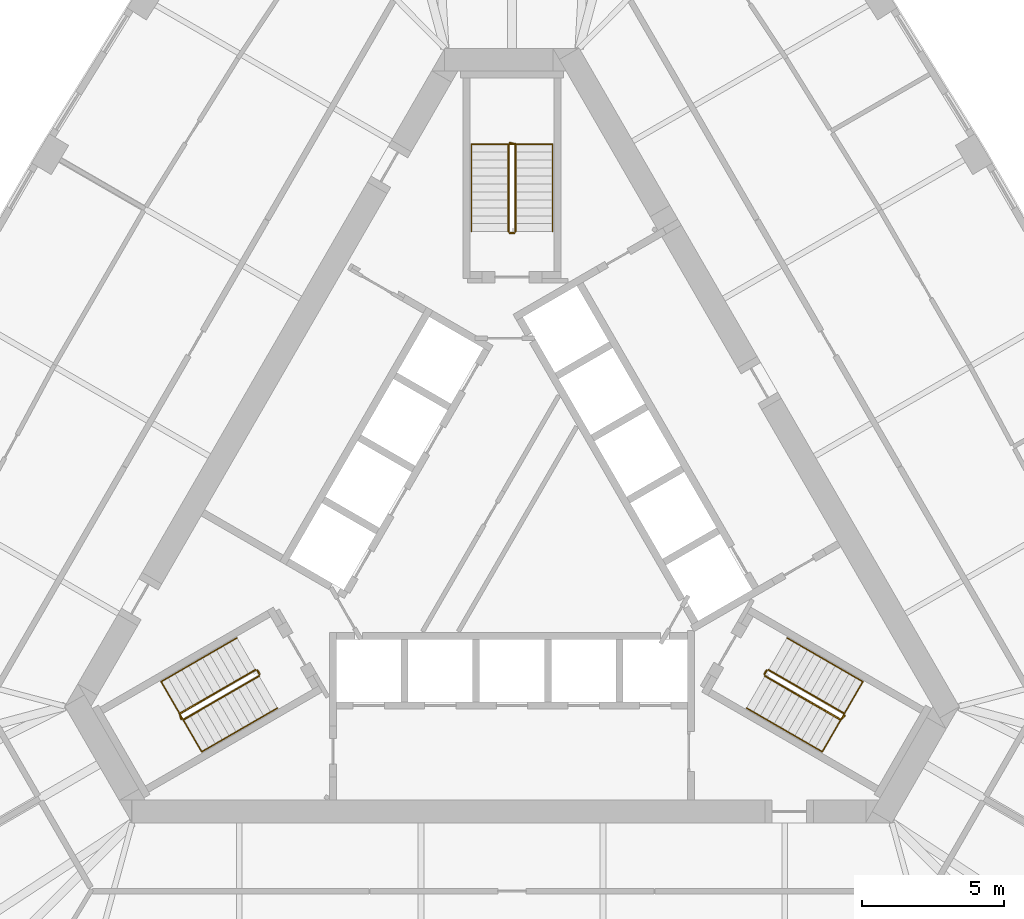
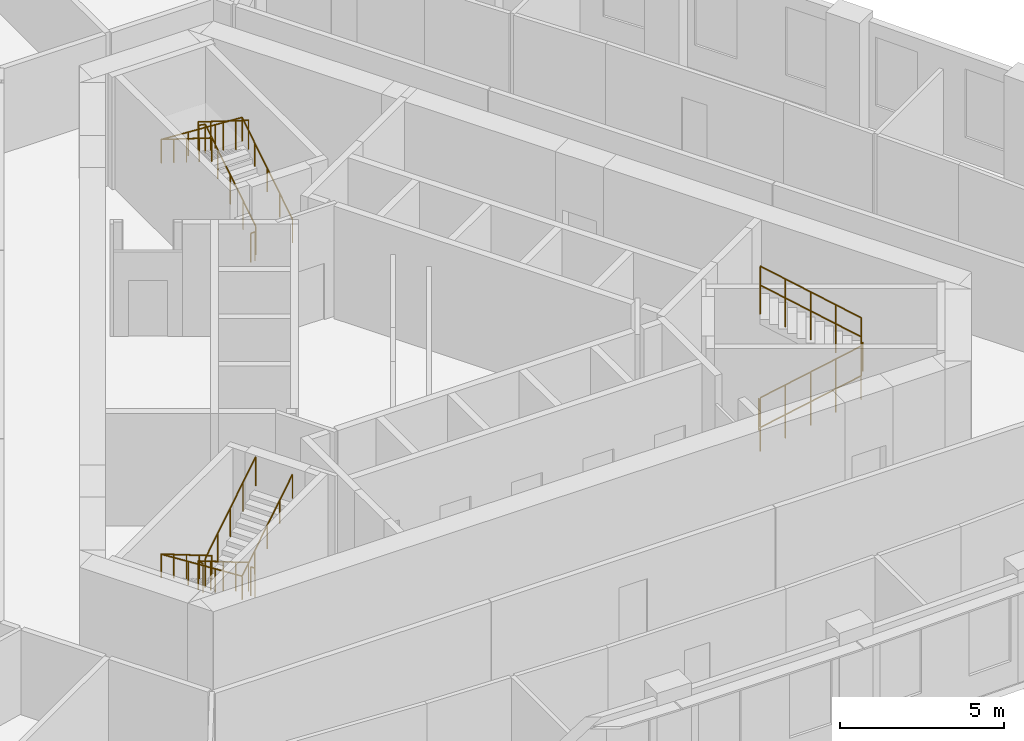
# One storey, part 10 of 10: 12 railings.
"""IFC4 building model written with IfcOpenShell, lengths in metres."""

from ifc_helpers import new_model, si_unit, direction, frame, origin, origin_2d, place, context, subcontext, project, spatial, circle, extrude, material, type_object, element, save


model = new_model("IFC4")

# Units and contexts
model_context = context("Model", 3, precision=1e-05, world=origin(), true_north=direction((0.0, 1.0)))
body_context = subcontext(model_context, "Body", "Model", "MODEL_VIEW")
ifc_project = project(units=[si_unit("LENGTHUNIT", "METRE"), si_unit("AREAUNIT", "SQUARE_METRE"), si_unit("VOLUMEUNIT", "CUBIC_METRE"), si_unit("PLANEANGLEUNIT", "RADIAN"), si_unit("MASSUNIT", "GRAM", prefix="KILO")], contexts=[model_context])

# Site, building, storey
site_placement = place(None, origin())
site = spatial("IfcSite", under=ifc_project, at=site_placement, CompositionType="ELEMENT")
building_placement = place(site_placement, origin())
building = spatial("IfcBuilding", under=site, at=building_placement, Name="Mestral Congress Tower", CompositionType="ELEMENT")
storey_placement = place(building_placement, frame((0.0, 0.0, 141.60009765625)))
storey = spatial("IfcBuildingStorey", under=building, at=storey_placement, Name="L33", CompositionType="ELEMENT", Elevation=141.60009765625)

# Railings
ifc_material_1 = material(Name="Steel balustrade", Category="steel")
railing_type_1 = type_object("IfcRailingType", Name="Stair guard 1100", PredefinedType="GUARDRAIL", material=ifc_material_1)
railing_1_placement = place(storey_placement, frame((8.90087890625, -5.283203125, 0.1748046875)))
element("IfcRailing", 1, at=railing_1_placement, inside=storey, type_object=railing_type_1, Name="L33 ST1 stair guard 1", PredefinedType="GUARDRAIL", context=body_context, shape_type="SweptSolid", body=[
    extrude(circle(Radius=0.02392578125, at=origin_2d()), frame((0.0, 0.0, 1.076171875), z_axis=(0.734364028329, -0.424015404183, 0.530019255228), x_axis=(0.500026652407, 0.866010015463, 0.0)), (0.0, 0.0, 1.0), 3.632080078125),
    extrude(circle(Radius=0.02392578125, at=origin_2d()), frame((2.667236328125, -1.5400390625, 3.0009765625), z_axis=(0.695164929852, 0.718850276695, 0.0), x_axis=(-0.718850276695, 0.695164929852, 0.0)), (0.0, 0.0, 1.0), 0.2060546875),
    extrude(circle(Radius=0.02099609375, at=origin_2d()), origin(), (0.0, 0.0, 1.0), 1.052001953125),
    extrude(circle(Radius=0.02099609375, at=origin_2d()), frame((0.666748046875, -0.385009765625, 0.481201171875)), (0.0, 0.0, 1.0), 1.052001953125),
    extrude(circle(Radius=0.02099609375, at=origin_2d()), frame((1.33349609375, -0.77001953125, 0.96240234375)), (0.0, 0.0, 1.0), 1.052001953125),
    extrude(circle(Radius=0.02099609375, at=origin_2d()), frame((2.00048828125, -1.155029296875, 1.44384765625)), (0.0, 0.0, 1.0), 1.052001953125),
    extrude(circle(Radius=0.02099609375, at=origin_2d()), frame((2.667236328125, -1.5400390625, 1.925048828125)), (0.0, 0.0, 1.0), 1.052001953125),
    extrude(circle(Radius=0.02099609375, at=origin_2d()), frame((2.810546875, -1.391845703125, 1.925048828125)), (0.0, 0.0, 1.0), 1.052001953125),
])
railing_2_placement = place(storey_placement, frame((11.693115234375, -6.606689453125, 2.27490234375)))
element("IfcRailing", 2, at=railing_2_placement, inside=storey, type_object=railing_type_1, Name="L33 ST1 stair guard 2", PredefinedType="GUARDRAIL", context=body_context, shape_type="SweptSolid", body=[
    extrude(circle(Radius=0.02392578125, at=origin_2d()), frame((0.0, 0.0, 1.076171875), z_axis=(-0.734364028329, 0.424015404183, 0.530019255228), x_axis=(-0.500026652407, -0.866010015463, 0.0)), (0.0, 0.0, 1.0), 3.632080078125),
    extrude(circle(Radius=0.02099609375, at=origin_2d()), origin(), (0.0, 0.0, 1.0), 1.052001953125),
    extrude(circle(Radius=0.02099609375, at=origin_2d()), frame((-0.666748046875, 0.385009765625, 0.481201171875)), (0.0, 0.0, 1.0), 1.052001953125),
    extrude(circle(Radius=0.02099609375, at=origin_2d()), frame((-1.33349609375, 0.77001953125, 0.96240234375)), (0.0, 0.0, 1.0), 1.052001953125),
    extrude(circle(Radius=0.02099609375, at=origin_2d()), frame((-2.00048828125, 1.155029296875, 1.44384765625)), (0.0, 0.0, 1.0), 1.052001953125),
    extrude(circle(Radius=0.02099609375, at=origin_2d()), frame((-2.667236328125, 1.5400390625, 1.925048828125)), (0.0, 0.0, 1.0), 1.052001953125),
])
railing_3_placement = place(storey_placement, frame((8.882568359375, -5.21484375, 0.0)))
element("IfcRailing", 3, at=railing_3_placement, inside=storey, type_object=railing_type_1, Name="L33 ST1 stair guard 3", PredefinedType="GUARDRAIL", context=body_context, shape_type="SweptSolid", body=[
    extrude(circle(Radius=0.02392578125, at=origin_2d()), frame((0.0, 0.0, 1.076171875), z_axis=(0.499816412211, 0.866131372301, 0.0), x_axis=(-0.866131372301, 0.499816412211, 0.0)), (0.0, 0.0, 1.0), 0.14990234375),
    extrude(circle(Radius=0.02099609375, at=origin_2d()), origin(), (0.0, 0.0, 1.0), 1.052001953125),
    extrude(circle(Radius=0.02099609375, at=origin_2d()), frame((0.074951171875, 0.1298828125, 0.0)), (0.0, 0.0, 1.0), 1.052001953125),
])
railing_4_placement = place(storey_placement, frame((0.125, 10.35009765625, 0.1748046875)))
element("IfcRailing", 4, at=railing_4_placement, inside=storey, type_object=railing_type_1, Name="L33 ST2 stair guard 1", PredefinedType="GUARDRAIL", context=body_context, shape_type="SweptSolid", body=[
    extrude(circle(Radius=0.02392578125, at=origin_2d()), frame((0.0, 0.0, 1.076171875), z_axis=(0.0, 0.847979421464, 0.530029150871), x_axis=(-1.0, 0.0, 0.0)), (0.0, 0.0, 1.0), 3.632080078125),
    extrude(circle(Radius=0.02392578125, at=origin_2d()), frame((0.0, 3.079833984375, 3.0009765625), z_axis=(-0.970072785993, 0.242814311512, 0.0), x_axis=(-0.242814311512, -0.970072785993, 0.0)), (0.0, 0.0, 1.0), 0.2060546875),
    extrude(circle(Radius=0.02099609375, at=origin_2d()), origin(), (0.0, 0.0, 1.0), 1.052001953125),
    extrude(circle(Radius=0.02099609375, at=origin_2d()), frame((0.0, 0.77001953125, 0.481201171875)), (0.0, 0.0, 1.0), 1.052001953125),
    extrude(circle(Radius=0.02099609375, at=origin_2d()), frame((0.0, 1.5400390625, 0.96240234375)), (0.0, 0.0, 1.0), 1.052001953125),
    extrude(circle(Radius=0.02099609375, at=origin_2d()), frame((0.0, 2.309814453125, 1.44384765625)), (0.0, 0.0, 1.0), 1.052001953125),
    extrude(circle(Radius=0.02099609375, at=origin_2d()), frame((0.0, 3.079833984375, 1.925048828125)), (0.0, 0.0, 1.0), 1.052001953125),
    extrude(circle(Radius=0.02099609375, at=origin_2d()), frame((-0.199951171875, 3.1298828125, 1.925048828125)), (0.0, 0.0, 1.0), 1.052001953125),
])
railing_5_placement = place(storey_placement, frame((-0.125, 13.429931640625, 2.27490234375)))
element("IfcRailing", 5, at=railing_5_placement, inside=storey, type_object=railing_type_1, Name="L33 ST2 stair guard 2", PredefinedType="GUARDRAIL", context=body_context, shape_type="SweptSolid", body=[
    extrude(circle(Radius=0.02392578125, at=origin_2d()), frame((0.0, 0.0, 1.076171875), z_axis=(0.0, -0.847979421464, 0.530029150871), x_axis=(1.0, 0.0, 0.0)), (0.0, 0.0, 1.0), 3.632080078125),
    extrude(circle(Radius=0.02099609375, at=origin_2d()), origin(), (0.0, 0.0, 1.0), 1.052001953125),
    extrude(circle(Radius=0.02099609375, at=origin_2d()), frame((0.0, -0.77001953125, 0.481201171875)), (0.0, 0.0, 1.0), 1.052001953125),
    extrude(circle(Radius=0.02099609375, at=origin_2d()), frame((0.0, -1.5400390625, 0.96240234375)), (0.0, 0.0, 1.0), 1.052001953125),
    extrude(circle(Radius=0.02099609375, at=origin_2d()), frame((0.0, -2.309814453125, 1.44384765625)), (0.0, 0.0, 1.0), 1.052001953125),
    extrude(circle(Radius=0.02099609375, at=origin_2d()), frame((0.0, -3.079833984375, 1.925048828125)), (0.0, 0.0, 1.0), 1.052001953125),
])
railing_6_placement = place(storey_placement, frame((0.074951171875, 10.300048828125, 0.0)))
element("IfcRailing", 6, at=railing_6_placement, inside=storey, type_object=railing_type_1, Name="L33 ST2 stair guard 3", PredefinedType="GUARDRAIL", context=body_context, shape_type="SweptSolid", body=[
    extrude(circle(Radius=0.02392578125, at=origin_2d()), frame((0.0, 0.0, 1.076171875), z_axis=(-1.0, 0.0, 0.0), x_axis=(0.0, -1.0, 0.0)), (0.0, 0.0, 1.0), 0.14990234375),
    extrude(circle(Radius=0.02099609375, at=origin_2d()), origin(), (0.0, 0.0, 1.0), 1.052001953125),
    extrude(circle(Radius=0.02099609375, at=origin_2d()), frame((-0.14990234375, 0.0, 0.0)), (0.0, 0.0, 1.0), 1.052001953125),
])
railing_7_placement = place(storey_placement, frame((-9.02587890625, -5.066650390625, 0.1748046875)))
element("IfcRailing", 7, at=railing_7_placement, inside=storey, type_object=railing_type_1, Name="L33 ST3 stair guard 1", PredefinedType="GUARDRAIL", context=body_context, shape_type="SweptSolid", body=[
    extrude(circle(Radius=0.02392578125, at=origin_2d()), frame((0.0, 0.0, 1.076171875), z_axis=(-0.734364028329, -0.424015404183, 0.530019255228), x_axis=(0.500026652407, -0.866010015463, 0.0)), (0.0, 0.0, 1.0), 3.632080078125),
    extrude(circle(Radius=0.02392578125, at=origin_2d()), frame((-2.667236328125, -1.5400390625, 3.0009765625), z_axis=(0.274721127897, -0.961523947641, 0.0), x_axis=(0.961523947641, 0.274721127897, 0.0)), (0.0, 0.0, 1.0), 0.2060546875),
    extrude(circle(Radius=0.02099609375, at=origin_2d()), origin(), (0.0, 0.0, 1.0), 1.052001953125),
    extrude(circle(Radius=0.02099609375, at=origin_2d()), frame((-0.666748046875, -0.385009765625, 0.481201171875)), (0.0, 0.0, 1.0), 1.052001953125),
    extrude(circle(Radius=0.02099609375, at=origin_2d()), frame((-1.33349609375, -0.77001953125, 0.96240234375)), (0.0, 0.0, 1.0), 1.052001953125),
    extrude(circle(Radius=0.02099609375, at=origin_2d()), frame((-2.00048828125, -1.155029296875, 1.44384765625)), (0.0, 0.0, 1.0), 1.052001953125),
    extrude(circle(Radius=0.02099609375, at=origin_2d()), frame((-2.667236328125, -1.5400390625, 1.925048828125)), (0.0, 0.0, 1.0), 1.052001953125),
    extrude(circle(Radius=0.02099609375, at=origin_2d()), frame((-2.610595703125, -1.73828125, 1.925048828125)), (0.0, 0.0, 1.0), 1.052001953125),
])
railing_8_placement = place(storey_placement, frame((-11.568115234375, -6.8232421875, 2.27490234375)))
element("IfcRailing", 8, at=railing_8_placement, inside=storey, type_object=railing_type_1, Name="L33 ST3 stair guard 2", PredefinedType="GUARDRAIL", context=body_context, shape_type="SweptSolid", body=[
    extrude(circle(Radius=0.02392578125, at=origin_2d()), frame((0.0, 0.0, 1.076171875), z_axis=(0.734364028329, 0.424015404183, 0.530019255228), x_axis=(-0.500026652407, 0.866010015463, 0.0)), (0.0, 0.0, 1.0), 3.632080078125),
    extrude(circle(Radius=0.02099609375, at=origin_2d()), origin(), (0.0, 0.0, 1.0), 1.052001953125),
    extrude(circle(Radius=0.02099609375, at=origin_2d()), frame((0.666748046875, 0.385009765625, 0.481201171875)), (0.0, 0.0, 1.0), 1.052001953125),
    extrude(circle(Radius=0.02099609375, at=origin_2d()), frame((1.33349609375, 0.77001953125, 0.96240234375)), (0.0, 0.0, 1.0), 1.052001953125),
    extrude(circle(Radius=0.02099609375, at=origin_2d()), frame((2.00048828125, 1.155029296875, 1.44384765625)), (0.0, 0.0, 1.0), 1.052001953125),
    extrude(circle(Radius=0.02099609375, at=origin_2d()), frame((2.667236328125, 1.5400390625, 1.925048828125)), (0.0, 0.0, 1.0), 1.052001953125),
])
railing_9_placement = place(storey_placement, frame((-8.95751953125, -5.0849609375, 0.0)))
element("IfcRailing", 9, at=railing_9_placement, inside=storey, type_object=railing_type_1, Name="L33 ST3 stair guard 3", PredefinedType="GUARDRAIL", context=body_context, shape_type="SweptSolid", body=[
    extrude(circle(Radius=0.02392578125, at=origin_2d()), frame((0.0, 0.0, 1.076171875), z_axis=(0.499816412211, -0.866131372301, 0.0), x_axis=(0.866131372301, 0.499816412211, 0.0)), (0.0, 0.0, 1.0), 0.14990234375),
    extrude(circle(Radius=0.02099609375, at=origin_2d()), origin(), (0.0, 0.0, 1.0), 1.052001953125),
    extrude(circle(Radius=0.02099609375, at=origin_2d()), frame((0.074951171875, -0.1298828125, 0.0)), (0.0, 0.0, 1.0), 1.052001953125),
])
ifc_material_2 = material(Name="Steel handrail", Category="steel")
railing_type_2 = type_object("IfcRailingType", Name="Stair handrail 900", PredefinedType="HANDRAIL", material=ifc_material_2)
railing_10_placement = place(storey_placement, frame((8.2509765625, -6.4091796875, 0.1748046875)))
element("IfcRailing", 10, at=railing_10_placement, inside=storey, type_object=railing_type_2, Name="L33 ST1 stair handrail 1", PredefinedType="HANDRAIL", context=body_context, shape_type="SweptSolid", body=[
    extrude(circle(Radius=0.02392578125, at=origin_2d()), frame((0.0, 0.0, 0.8759765625), z_axis=(0.734384958227, -0.423960268333, 0.530034361155), x_axis=(0.499967199496, 0.866044340336, 0.0)), (0.0, 0.0, 1.0), 3.6318359375),
    extrude(circle(Radius=0.02392578125, at=origin_2d()), frame((2.667236328125, -1.539794921875, 2.80078125), z_axis=(0.499095769026, 0.864375386171, 0.061307463833), x_axis=(-0.866004402611, 0.500036373335, 0.0)), (0.0, 0.0, 1.0), 2.855224609375),
    extrude(circle(Radius=0.02392578125, at=origin_2d()), frame((4.09228515625, 0.92822265625, 2.97607421875), z_axis=(-0.734394994316, 0.423994474112, 0.52999309264), x_axis=(-0.499992328818, -0.866029832698, 0.0)), (0.0, 0.0, 1.0), 3.63232421875),
    extrude(circle(Radius=0.02099609375, at=origin_2d()), origin(), (0.0, 0.0, 1.0), 0.851806640625),
    extrude(circle(Radius=0.02099609375, at=origin_2d()), frame((0.666748046875, -0.385009765625, 0.481201171875)), (0.0, 0.0, 1.0), 0.851806640625),
    extrude(circle(Radius=0.02099609375, at=origin_2d()), frame((1.33349609375, -0.77001953125, 0.96240234375)), (0.0, 0.0, 1.0), 0.851806640625),
    extrude(circle(Radius=0.02099609375, at=origin_2d()), frame((2.00048828125, -1.15478515625, 1.44384765625)), (0.0, 0.0, 1.0), 0.851806640625),
    extrude(circle(Radius=0.02099609375, at=origin_2d()), frame((2.667236328125, -1.539794921875, 1.925048828125)), (0.0, 0.0, 1.0), 0.851806640625),
    extrude(circle(Radius=0.02099609375, at=origin_2d()), frame((3.142333984375, -0.717041015625, 1.9833984375)), (0.0, 0.0, 1.0), 0.851806640625),
    extrude(circle(Radius=0.02099609375, at=origin_2d()), frame((3.6171875, 0.10546875, 2.041748046875)), (0.0, 0.0, 1.0), 0.851806640625),
    extrude(circle(Radius=0.02099609375, at=origin_2d()), frame((4.09228515625, 0.92822265625, 2.10009765625)), (0.0, 0.0, 1.0), 0.851806640625),
    extrude(circle(Radius=0.02099609375, at=origin_2d()), frame((3.42529296875, 1.313232421875, 2.581298828125)), (0.0, 0.0, 1.0), 0.851806640625),
    extrude(circle(Radius=0.02099609375, at=origin_2d()), frame((2.758544921875, 1.6982421875, 3.0625)), (0.0, 0.0, 1.0), 0.851806640625),
    extrude(circle(Radius=0.02099609375, at=origin_2d()), frame((2.091796875, 2.083251953125, 3.5439453125)), (0.0, 0.0, 1.0), 0.851806640625),
    extrude(circle(Radius=0.02099609375, at=origin_2d()), frame((1.4248046875, 2.46826171875, 4.025146484375)), (0.0, 0.0, 1.0), 0.851806640625),
])
railing_11_placement = place(storey_placement, frame((1.425048828125, 10.35009765625, 0.1748046875)))
element("IfcRailing", 11, at=railing_11_placement, inside=storey, type_object=railing_type_2, Name="L33 ST2 stair handrail 1", PredefinedType="HANDRAIL", context=body_context, shape_type="SweptSolid", body=[
    extrude(circle(Radius=0.02392578125, at=origin_2d()), frame((0.0, 0.0, 0.8759765625), z_axis=(0.0, 0.847979421464, 0.530029150871), x_axis=(-1.0, 0.0, 0.0)), (0.0, 0.0, 1.0), 3.632080078125),
    extrude(circle(Radius=0.02392578125, at=origin_2d()), frame((0.0, 3.079833984375, 2.80078125), z_axis=(-0.998119201106, 0.0, 0.061303021003), x_axis=(0.0, -1.0, 0.0)), (0.0, 0.0, 1.0), 2.85546875),
    extrude(circle(Radius=0.02392578125, at=origin_2d()), frame((-2.85009765625, 3.079833984375, 2.97607421875), z_axis=(0.0, -0.847979421464, 0.530029150871), x_axis=(1.0, 0.0, 0.0)), (0.0, 0.0, 1.0), 3.632080078125),
    extrude(circle(Radius=0.02099609375, at=origin_2d()), origin(), (0.0, 0.0, 1.0), 0.851806640625),
    extrude(circle(Radius=0.02099609375, at=origin_2d()), frame((0.0, 0.77001953125, 0.481201171875)), (0.0, 0.0, 1.0), 0.851806640625),
    extrude(circle(Radius=0.02099609375, at=origin_2d()), frame((0.0, 1.5400390625, 0.96240234375)), (0.0, 0.0, 1.0), 0.851806640625),
    extrude(circle(Radius=0.02099609375, at=origin_2d()), frame((0.0, 2.309814453125, 1.44384765625)), (0.0, 0.0, 1.0), 0.851806640625),
    extrude(circle(Radius=0.02099609375, at=origin_2d()), frame((0.0, 3.079833984375, 1.925048828125)), (0.0, 0.0, 1.0), 0.851806640625),
    extrude(circle(Radius=0.02099609375, at=origin_2d()), frame((-0.949951171875, 3.079833984375, 1.9833984375)), (0.0, 0.0, 1.0), 0.851806640625),
    extrude(circle(Radius=0.02099609375, at=origin_2d()), frame((-1.900146484375, 3.079833984375, 2.041748046875)), (0.0, 0.0, 1.0), 0.851806640625),
    extrude(circle(Radius=0.02099609375, at=origin_2d()), frame((-2.85009765625, 3.079833984375, 2.10009765625)), (0.0, 0.0, 1.0), 0.851806640625),
    extrude(circle(Radius=0.02099609375, at=origin_2d()), frame((-2.85009765625, 2.309814453125, 2.581298828125)), (0.0, 0.0, 1.0), 0.851806640625),
    extrude(circle(Radius=0.02099609375, at=origin_2d()), frame((-2.85009765625, 1.5400390625, 3.0625)), (0.0, 0.0, 1.0), 0.851806640625),
    extrude(circle(Radius=0.02099609375, at=origin_2d()), frame((-2.85009765625, 0.77001953125, 3.5439453125)), (0.0, 0.0, 1.0), 0.851806640625),
    extrude(circle(Radius=0.02099609375, at=origin_2d()), frame((-2.85009765625, 0.0, 4.025146484375)), (0.0, 0.0, 1.0), 0.851806640625),
])
railing_12_placement = place(storey_placement, frame((-9.67578125, -3.94091796875, 0.1748046875)))
element("IfcRailing", 12, at=railing_12_placement, inside=storey, type_object=railing_type_2, Name="L33 ST3 stair handrail 1", PredefinedType="HANDRAIL", context=body_context, shape_type="SweptSolid", body=[
    extrude(circle(Radius=0.02392578125, at=origin_2d()), frame((0.0, 0.0, 0.8759765625), z_axis=(-0.734394994316, -0.423994474112, 0.52999309264), x_axis=(0.499992328818, -0.866029832698, 0.0)), (0.0, 0.0, 1.0), 3.63232421875),
    extrude(circle(Radius=0.02392578125, at=origin_2d()), frame((-2.66748046875, -1.5400390625, 2.80078125), z_axis=(0.499095769026, -0.864375386171, 0.061307463833), x_axis=(0.866004402611, 0.500036373335, 0.0)), (0.0, 0.0, 1.0), 2.855224609375),
    extrude(circle(Radius=0.02392578125, at=origin_2d()), frame((-1.242431640625, -4.008056640625, 2.97607421875), z_axis=(0.734384958227, 0.423960268333, 0.530034361155), x_axis=(-0.499967199496, 0.866044340336, 0.0)), (0.0, 0.0, 1.0), 3.6318359375),
    extrude(circle(Radius=0.02099609375, at=origin_2d()), origin(), (0.0, 0.0, 1.0), 0.851806640625),
    extrude(circle(Radius=0.02099609375, at=origin_2d()), frame((-0.6669921875, -0.385009765625, 0.481201171875)), (0.0, 0.0, 1.0), 0.851806640625),
    extrude(circle(Radius=0.02099609375, at=origin_2d()), frame((-1.333740234375, -0.77001953125, 0.96240234375)), (0.0, 0.0, 1.0), 0.851806640625),
    extrude(circle(Radius=0.02099609375, at=origin_2d()), frame((-2.00048828125, -1.155029296875, 1.44384765625)), (0.0, 0.0, 1.0), 0.851806640625),
    extrude(circle(Radius=0.02099609375, at=origin_2d()), frame((-2.66748046875, -1.5400390625, 1.925048828125)), (0.0, 0.0, 1.0), 0.851806640625),
    extrude(circle(Radius=0.02099609375, at=origin_2d()), frame((-2.1923828125, -2.36279296875, 1.9833984375)), (0.0, 0.0, 1.0), 0.851806640625),
    extrude(circle(Radius=0.02099609375, at=origin_2d()), frame((-1.717529296875, -3.185302734375, 2.041748046875)), (0.0, 0.0, 1.0), 0.851806640625),
    extrude(circle(Radius=0.02099609375, at=origin_2d()), frame((-1.242431640625, -4.008056640625, 2.10009765625)), (0.0, 0.0, 1.0), 0.851806640625),
    extrude(circle(Radius=0.02099609375, at=origin_2d()), frame((-0.57568359375, -3.623046875, 2.581298828125)), (0.0, 0.0, 1.0), 0.851806640625),
    extrude(circle(Radius=0.02099609375, at=origin_2d()), frame((0.09130859375, -3.23828125, 3.0625)), (0.0, 0.0, 1.0), 0.851806640625),
    extrude(circle(Radius=0.02099609375, at=origin_2d()), frame((0.758056640625, -2.853271484375, 3.5439453125)), (0.0, 0.0, 1.0), 0.851806640625),
    extrude(circle(Radius=0.02099609375, at=origin_2d()), frame((1.4248046875, -2.46826171875, 4.025146484375)), (0.0, 0.0, 1.0), 0.851806640625),
])

save(model, "model.ifc")
